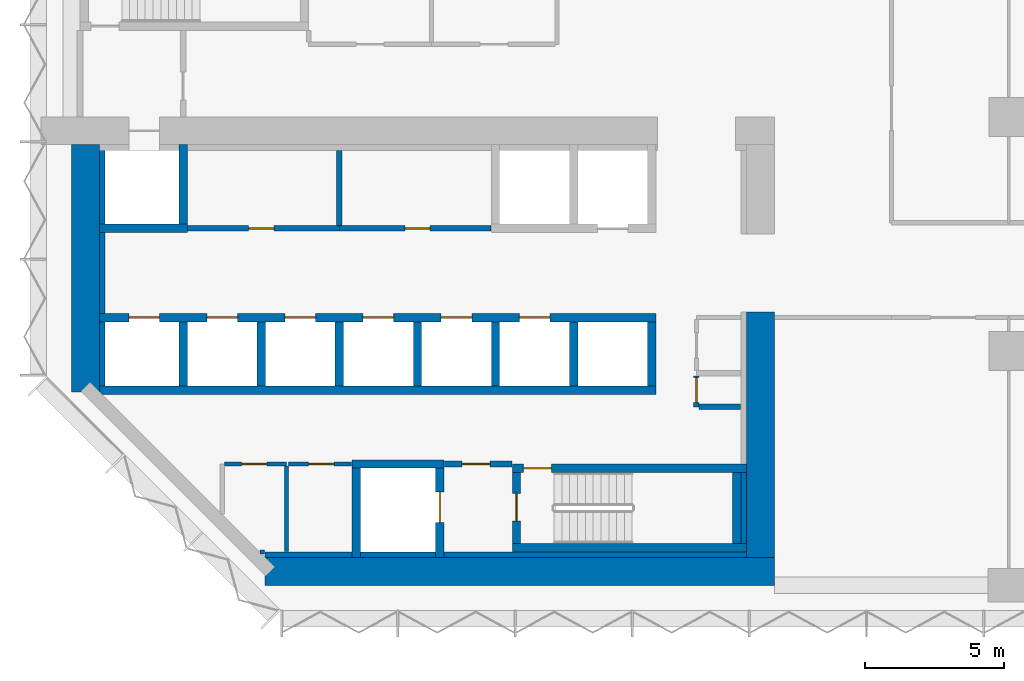
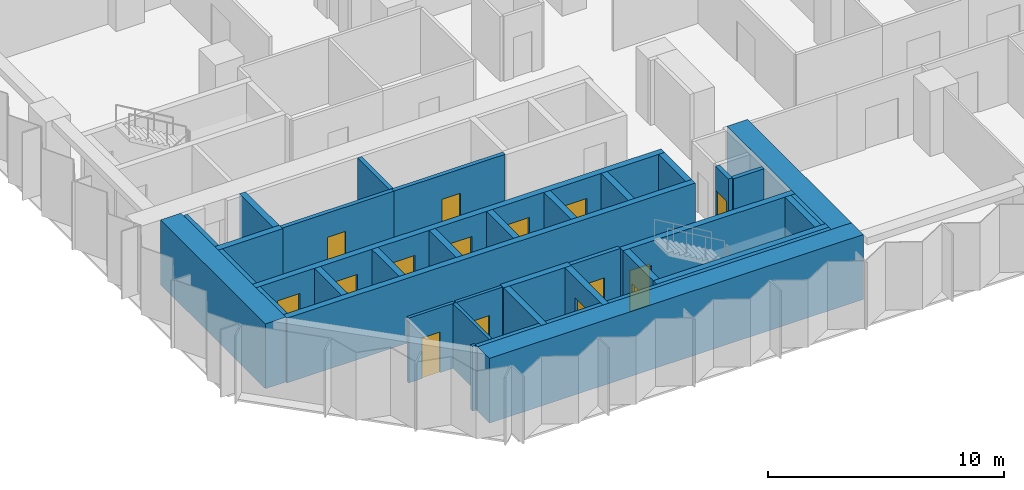
# One storey, part 7 of 15: 38 walls, 15 doors, 15 openings.
"""IFC4 building model written with IfcOpenShell, lengths in metres."""

from ifc_helpers import new_model, si_unit, direction, frame, frame_2d, origin, place, context, subcontext, project, spatial, rectangle, extrude, material, layer, layer_set, type_object, element, fill, save


model = new_model("IFC4")

# Units and contexts
model_context = context("Model", 3, precision=1e-05, world=origin(), true_north=direction((0.0, 1.0)))
body_context = subcontext(model_context, "Body", "Model", "MODEL_VIEW")
ifc_project = project(units=[si_unit("LENGTHUNIT", "METRE"), si_unit("AREAUNIT", "SQUARE_METRE"), si_unit("VOLUMEUNIT", "CUBIC_METRE"), si_unit("PLANEANGLEUNIT", "RADIAN"), si_unit("MASSUNIT", "GRAM", prefix="KILO")], contexts=[model_context])

# Site, building, storey
site_placement = place(None, origin())
site = spatial("IfcSite", under=ifc_project, at=site_placement, CompositionType="ELEMENT")
building_placement = place(site_placement, origin())
building = spatial("IfcBuilding", under=site, at=building_placement, Name="Brevane Broadcast Tower", CompositionType="ELEMENT")
storey_placement = place(building_placement, frame((0.0, 0.0, 72.5)))
storey = spatial("IfcBuildingStorey", under=building, at=storey_placement, Name="L16", CompositionType="ELEMENT", Elevation=72.5)

# Walls
ifc_material_1 = material(Name="Concrete C32/40", Category="concrete")
ifc_layer_1 = layer(ifc_material_1, 0.199951171875)
ifc_layer_set_1 = layer_set([ifc_layer_1], Name="Core chase wall 200 mm")
wall_type_1 = type_object("IfcWallType", Name="Core chase wall 200 mm", PredefinedType="PARTITIONING", material=ifc_layer_set_1)
wall_1_placement = place(storey_placement, frame((1.10009765625, 7.14990234375, 0.0), z_axis=(0.0, 0.0, 1.0), x_axis=(0.0, 1.0, 0.0)))
element("IfcWall", 1, at=wall_1_placement, inside=storey, type_object=wall_type_1, Name="L16 chase wall LW-2-1", PredefinedType="PARTITIONING", context=body_context, shape_type="SweptSolid", body=[
    extrude(rectangle(XDim=2.300048828125, YDim=0.199951171875, at=frame_2d((1.14990234375, 0.0))), origin(), (0.0, 0.0, 1.0), 3.35009765625),
])
wall_2_placement = place(storey_placement, frame((1.10009765625, 9.75, 0.0), z_axis=(0.0, 0.0, 1.0), x_axis=(0.0, 1.0, 0.0)))
element("IfcWall", 2, at=wall_2_placement, inside=storey, type_object=wall_type_1, Name="L16 chase wall LW-2-2-1", PredefinedType="PARTITIONING", context=body_context, shape_type="SweptSolid", body=[
    extrude(rectangle(XDim=2.89990234375, YDim=0.199951171875, at=frame_2d((1.449951171875, 0.0))), origin(), (0.0, 0.0, 1.0), 3.35009765625),
])
wall_3_placement = place(storey_placement, frame((1.10009765625, 12.949951171875, 0.0), z_axis=(0.0, 0.0, 1.0), x_axis=(0.0, 1.0, 0.0)))
element("IfcWall", 3, at=wall_3_placement, inside=storey, type_object=wall_type_1, Name="L16 chase wall LW-2-2-2", PredefinedType="PARTITIONING", context=body_context, shape_type="SweptSolid", body=[
    extrude(rectangle(XDim=2.650146484375, YDim=0.199951171875, at=frame_2d((1.3251953125, 0.0))), origin(), (0.0, 0.0, 1.0), 3.35009765625),
])
wall_4_placement = place(storey_placement, frame((6.936279296875, 1.10009765625, 0.0), z_axis=(0.0, 0.0, 1.0), x_axis=(1.0, 0.0, 0.0)))
element("IfcWall", 4, at=wall_4_placement, inside=storey, type_object=wall_type_1, Name="L16 chase wall LS-1", PredefinedType="PARTITIONING", context=body_context, shape_type="SweptSolid", body=[
    extrude(rectangle(XDim=3.11376953125, YDim=0.199951171875, at=frame_2d((1.556884765625, 0.0))), origin(), (0.0, 0.0, 1.0), 3.35009765625),
])
wall_5_placement = place(storey_placement, frame((10.35009765625, 1.10009765625, 0.0), z_axis=(0.0, 0.0, 1.0), x_axis=(1.0, 0.0, 0.0)))
element("IfcWall", 5, at=wall_5_placement, inside=storey, type_object=wall_type_1, Name="L16 chase wall LS-2-1", PredefinedType="PARTITIONING", context=body_context, shape_type="SweptSolid", body=[
    extrude(rectangle(XDim=2.699951171875, YDim=0.199951171875, at=frame_2d((1.35009765625, 0.0))), origin(), (0.0, 0.0, 1.0), 3.35009765625),
])
wall_6_placement = place(storey_placement, frame((13.35009765625, 1.10009765625, 0.0), z_axis=(0.0, 0.0, 1.0), x_axis=(1.0, 0.0, 0.0)))
element("IfcWall", 6, at=wall_6_placement, inside=storey, type_object=wall_type_1, Name="L16 chase wall LS-2-2", PredefinedType="PARTITIONING", context=body_context, shape_type="SweptSolid", body=[
    extrude(rectangle(XDim=10.849853515625, YDim=0.199951171875, at=frame_2d((5.4248046875, 0.0))), origin(), (0.0, 0.0, 1.0), 3.35009765625),
])
wall_7_placement = place(storey_placement, frame((24.10009765625, 1.5, 0.0), z_axis=(0.0, 0.0, 1.0), x_axis=(0.0, 1.0, 0.0)))
element("IfcWall", 7, at=wall_7_placement, inside=storey, type_object=wall_type_1, Name="L16 chase wall LE1-2-1", PredefinedType="PARTITIONING", context=body_context, shape_type="SweptSolid", body=[
    extrude(rectangle(XDim=2.550048828125, YDim=0.199951171875, at=frame_2d((1.27490234375, 0.0))), origin(), (0.0, 0.0, 1.0), 3.35009765625),
])

# Wall, opening, door
ifc_material_2 = material(Name="Gypsum board on steel studs", Category="steel")
ifc_layer_2 = layer(ifc_material_2, 0.14990234375)
ifc_layer_set_2 = layer_set([ifc_layer_2], Name="Core fire partition 150 mm")
wall_type_2 = type_object("IfcWallType", Name="Core fire partition 150 mm", PredefinedType="PARTITIONING", material=ifc_layer_set_2)
wall_8_placement = place(storey_placement, frame((5.47509765625, 4.35009765625, 0.0), z_axis=(0.0, 0.0, 1.0), x_axis=(1.0, 0.0, 0.0)))
wall_8 = element("IfcWall", 8, at=wall_8_placement, inside=storey, type_object=wall_type_2, Name="L16 partition wall P11", PredefinedType="PARTITIONING", context=body_context, shape_type="SweptSolid", body=[
    extrude(rectangle(XDim=2.224853515625, YDim=0.14990234375, at=frame_2d((1.1123046875, 0.0))), origin(), (0.0, 0.0, 1.0), 3.35009765625),
])
opening_1_placement = place(wall_8_placement, frame((0.625, 0.0, 0.0)))
opening_1 = element("IfcOpeningElement", 9, at=opening_1_placement, cuts=wall_8, Name="Opening L16-K16", PredefinedType="OPENING", context=body_context, shape_type="SweptSolid", body=[
    extrude(rectangle(XDim=0.89990234375, YDim=2.10009765625, at=frame_2d((0.449951171875, 1.050048828125))), frame((0.0, 0.0849609375, 0.0), z_axis=(0.0, -1.0, 0.0), x_axis=(1.0, 0.0, 0.0)), (0.0, 0.0, 1.0), 0.169921875),
])
ifc_material_3 = material(Name="Timber", Category="wood")
door_type_1 = type_object("IfcDoorType", Name="Toilet door 900 x 2100", OperationType="SINGLE_SWING_LEFT", PredefinedType="DOOR", material=ifc_material_3)
door_1_placement = place(opening_1_placement, origin())
door_1 = element("IfcDoor", 10, at=door_1_placement, inside=storey, type_object=door_type_1, Name="Door L16-K16", OperationType="SINGLE_SWING_LEFT", OverallHeight=2.10009765625, OverallWidth=0.89990234375, PredefinedType="DOOR", context=body_context, shape_type="SweptSolid", body=[
    extrude(rectangle(XDim=0.89990234375, YDim=2.10009765625, at=frame_2d((0.449951171875, 1.050048828125))), frame((0.0, 0.02490234375, 0.0), z_axis=(0.0, -1.0, 0.0), x_axis=(1.0, 0.0, 0.0)), (0.0, 0.0, 1.0), 0.050048828125),
])
fill(opening_1, door_1)

# Walls
wall_9_placement = place(storey_placement, frame((7.699951171875, 4.27490234375, 0.0), z_axis=(0.0, 0.0, 1.0), x_axis=(0.0, -1.0, 0.0)))
element("IfcWall", 11, at=wall_9_placement, inside=storey, type_object=wall_type_2, Name="L16 partition wall P12", PredefinedType="PARTITIONING", context=body_context, shape_type="SweptSolid", body=[
    extrude(rectangle(XDim=3.06298828125, YDim=0.14990234375, at=frame_2d((1.531494140625, 0.0))), origin(), (0.0, 0.0, 1.0), 3.35009765625),
])
wall_10_placement = place(storey_placement, frame((6.92431640625, 1.199951171875, 0.0), z_axis=(0.0, 0.0, 1.0), x_axis=(-1.0, 0.0, 0.0)))
element("IfcWall", 12, at=wall_10_placement, inside=storey, type_object=wall_type_2, Name="L16 partition wall P13", PredefinedType="PARTITIONING", context=body_context, shape_type="SweptSolid", body=[
    extrude(rectangle(XDim=0.1708984375, YDim=0.14990234375, at=frame_2d((0.08544921875, 0.0))), origin(), (0.0, 0.0, 1.0), 3.35009765625),
])

# Wall, opening, door
wall_11_placement = place(storey_placement, frame((10.0380859375, 4.35009765625, 0.0), z_axis=(0.0, 0.0, 1.0), x_axis=(-1.0, 0.0, 0.0)))
wall_11 = element("IfcWall", 13, at=wall_11_placement, inside=storey, type_object=wall_type_2, Name="L16 partition wall P14", PredefinedType="PARTITIONING", context=body_context, shape_type="SweptSolid", body=[
    extrude(rectangle(XDim=2.26318359375, YDim=0.14990234375, at=frame_2d((1.131591796875, 0.0))), origin(), (0.0, 0.0, 1.0), 3.35009765625),
])
opening_2_placement = place(wall_11_placement, frame((0.637939453125, 0.0, 0.0)))
opening_2 = element("IfcOpeningElement", 14, at=opening_2_placement, cuts=wall_11, Name="Opening L16-K17", PredefinedType="OPENING", context=body_context, shape_type="SweptSolid", body=[
    extrude(rectangle(XDim=0.89990234375, YDim=2.10009765625, at=frame_2d((0.449951171875, 1.050048828125))), frame((0.0, 0.0849609375, 0.0), z_axis=(0.0, -1.0, 0.0), x_axis=(1.0, 0.0, 0.0)), (0.0, 0.0, 1.0), 0.169921875),
])
door_2_placement = place(opening_2_placement, origin())
door_2 = element("IfcDoor", 15, at=door_2_placement, inside=storey, type_object=door_type_1, Name="Door L16-K17", OperationType="SINGLE_SWING_RIGHT", OverallHeight=2.10009765625, OverallWidth=0.89990234375, PredefinedType="DOOR", context=body_context, shape_type="SweptSolid", body=[
    extrude(rectangle(XDim=0.89990234375, YDim=2.10009765625, at=frame_2d((0.449951171875, 1.050048828125))), frame((0.0, 0.02490234375, 0.0), z_axis=(0.0, -1.0, 0.0), x_axis=(1.0, 0.0, 0.0)), (0.0, 0.0, 1.0), 0.050048828125),
])
fill(opening_2, door_2)

ifc_layer_3 = layer(ifc_material_2, 0.199951171875)
ifc_layer_set_3 = layer_set([ifc_layer_3], Name="Core fire partition 200 mm")
wall_type_3 = type_object("IfcWallType", Name="Core fire partition 200 mm", PredefinedType="PARTITIONING", material=ifc_layer_set_3)
wall_12_placement = place(storey_placement, frame((13.362060546875, 4.35009765625, 0.0), z_axis=(0.0, 0.0, 1.0), x_axis=(1.0, 0.0, 0.0)))
wall_12 = element("IfcWall", 16, at=wall_12_placement, inside=storey, type_object=wall_type_3, Name="L16 partition wall P03", PredefinedType="PARTITIONING", context=body_context, shape_type="SweptSolid", body=[
    extrude(rectangle(XDim=2.426025390625, YDim=0.199951171875, at=frame_2d((1.212890625, 0.0))), origin(), (0.0, 0.0, 1.0), 3.35009765625),
])
opening_3_placement = place(wall_12_placement, frame((0.637939453125, 0.0, 0.0)))
opening_3 = element("IfcOpeningElement", 17, at=opening_3_placement, cuts=wall_12, Name="Opening L16-K18", PredefinedType="OPENING", context=body_context, shape_type="SweptSolid", body=[
    extrude(rectangle(XDim=1.0, YDim=2.10009765625, at=frame_2d((0.5, 1.050048828125))), frame((0.0, 0.10986328125, 0.0), z_axis=(0.0, -1.0, 0.0), x_axis=(1.0, 0.0, 0.0)), (0.0, 0.0, 1.0), 0.219970703125),
])
ifc_material_4 = material(Name="Steel", Category="steel")
door_type_2 = type_object("IfcDoorType", Name="Stair door 1000 x 2100", OperationType="SINGLE_SWING_LEFT", PredefinedType="DOOR", material=ifc_material_4)
door_3_placement = place(opening_3_placement, origin())
door_3 = element("IfcDoor", 18, at=door_3_placement, inside=storey, type_object=door_type_2, Name="Door L16-K18", OperationType="SINGLE_SWING_LEFT", OverallHeight=2.10009765625, OverallWidth=1.0, PredefinedType="DOOR", context=body_context, shape_type="SweptSolid", body=[
    extrude(rectangle(XDim=1.0, YDim=2.10009765625, at=frame_2d((0.5, 1.050048828125))), frame((0.0, 0.02490234375, 0.0), z_axis=(0.0, -1.0, 0.0), x_axis=(1.0, 0.0, 0.0)), (0.0, 0.0, 1.0), 0.050048828125),
])
fill(opening_3, door_3)

wall_13_placement = place(storey_placement, frame((4.162109375, 12.800048828125, 0.0), z_axis=(0.0, 0.0, 1.0), x_axis=(1.0, 0.0, 0.0)))
wall_13 = element("IfcWall", 19, at=wall_13_placement, inside=storey, type_object=wall_type_3, Name="L16 partition wall P04", PredefinedType="PARTITIONING", context=body_context, shape_type="SweptSolid", body=[
    extrude(rectangle(XDim=5.43798828125, YDim=0.199951171875, at=frame_2d((2.718994140625, 0.0))), origin(), (0.0, 0.0, 1.0), 3.35009765625),
])
opening_4_placement = place(wall_13_placement, frame((2.18798828125, 0.0, 0.0)))
opening_4 = element("IfcOpeningElement", 20, at=opening_4_placement, cuts=wall_13, Name="Opening L16-K21", PredefinedType="OPENING", context=body_context, shape_type="SweptSolid", body=[
    extrude(rectangle(XDim=0.89990234375, YDim=2.10009765625, at=frame_2d((0.449951171875, 1.050048828125))), frame((0.0, 0.10986328125, 0.0), z_axis=(0.0, -1.0, 0.0), x_axis=(1.0, 0.0, 0.0)), (0.0, 0.0, 1.0), 0.219970703125),
])
door_type_3 = type_object("IfcDoorType", Name="Service room door 900 x 2100", OperationType="SINGLE_SWING_LEFT", PredefinedType="DOOR", material=ifc_material_4)
door_4_placement = place(opening_4_placement, origin())
door_4 = element("IfcDoor", 21, at=door_4_placement, inside=storey, type_object=door_type_3, Name="Door L16-K21", OperationType="SINGLE_SWING_RIGHT", OverallHeight=2.10009765625, OverallWidth=0.89990234375, PredefinedType="DOOR", context=body_context, shape_type="SweptSolid", body=[
    extrude(rectangle(XDim=0.89990234375, YDim=2.10009765625, at=frame_2d((0.449951171875, 1.050048828125))), frame((0.0, 0.02490234375, 0.0), z_axis=(0.0, -1.0, 0.0), x_axis=(1.0, 0.0, 0.0)), (0.0, 0.0, 1.0), 0.050048828125),
])
fill(opening_4, door_4)

wall_14_placement = place(storey_placement, frame((9.60009765625, 12.800048828125, 0.0), z_axis=(0.0, 0.0, 1.0), x_axis=(1.0, 0.0, 0.0)))
wall_14 = element("IfcWall", 22, at=wall_14_placement, inside=storey, type_object=wall_type_3, Name="L16 partition wall P05", PredefinedType="PARTITIONING", context=body_context, shape_type="SweptSolid", body=[
    extrude(rectangle(XDim=5.43798828125, YDim=0.199951171875, at=frame_2d((2.718994140625, 0.0))), origin(), (0.0, 0.0, 1.0), 3.35009765625),
])
opening_5_placement = place(wall_14_placement, frame((2.35009765625, 0.0, 0.0)))
opening_5 = element("IfcOpeningElement", 23, at=opening_5_placement, cuts=wall_14, Name="Opening L16-K22", PredefinedType="OPENING", context=body_context, shape_type="SweptSolid", body=[
    extrude(rectangle(XDim=0.89990234375, YDim=2.10009765625, at=frame_2d((0.449951171875, 1.050048828125))), frame((0.0, 0.10986328125, 0.0), z_axis=(0.0, -1.0, 0.0), x_axis=(1.0, 0.0, 0.0)), (0.0, 0.0, 1.0), 0.219970703125),
])
door_5_placement = place(opening_5_placement, origin())
door_5 = element("IfcDoor", 24, at=door_5_placement, inside=storey, type_object=door_type_3, Name="Door L16-K22", OperationType="SINGLE_SWING_LEFT", OverallHeight=2.10009765625, OverallWidth=0.89990234375, PredefinedType="DOOR", context=body_context, shape_type="SweptSolid", body=[
    extrude(rectangle(XDim=0.89990234375, YDim=2.10009765625, at=frame_2d((0.449951171875, 1.050048828125))), frame((0.0, 0.02490234375, 0.0), z_axis=(0.0, -1.0, 0.0), x_axis=(1.0, 0.0, 0.0)), (0.0, 0.0, 1.0), 0.050048828125),
])
fill(opening_5, door_5)

# Wall
wall_15_placement = place(storey_placement, frame((9.60009765625, 15.587890625, 0.0), z_axis=(0.0, 0.0, 1.0), x_axis=(0.0, -1.0, 0.0)))
element("IfcWall", 25, at=wall_15_placement, inside=storey, type_object=wall_type_3, Name="L16 partition wall P06", PredefinedType="PARTITIONING", context=body_context, shape_type="SweptSolid", body=[
    extrude(rectangle(XDim=2.68798828125, YDim=0.199951171875, at=frame_2d((1.343994140625, 0.0))), origin(), (0.0, 0.0, 1.0), 3.35009765625),
])

# Wall, opening, door
wall_16_placement = place(storey_placement, frame((22.39990234375, 7.5, 0.0), z_axis=(0.0, 0.0, 1.0), x_axis=(0.0, -1.0, 0.0)))
wall_16 = element("IfcWall", 26, at=wall_16_placement, inside=storey, type_object=wall_type_3, Name="L16 partition wall P08", PredefinedType="PARTITIONING", context=body_context, shape_type="SweptSolid", body=[
    extrude(rectangle(XDim=1.10009765625, YDim=0.199951171875, at=frame_2d((0.550048828125, 0.0))), origin(), (0.0, 0.0, 1.0), 3.35009765625),
])
opening_6_placement = place(wall_16_placement, frame((0.050048828125, 0.0, 0.0)))
opening_6 = element("IfcOpeningElement", 27, at=opening_6_placement, cuts=wall_16, Name="Opening L16-K19", PredefinedType="OPENING", context=body_context, shape_type="SweptSolid", body=[
    extrude(rectangle(XDim=0.89990234375, YDim=2.10009765625, at=frame_2d((0.449951171875, 1.050048828125))), frame((0.0, 0.10986328125, 0.0), z_axis=(0.0, -1.0, 0.0), x_axis=(1.0, 0.0, 0.0)), (0.0, 0.0, 1.0), 0.219970703125),
])
door_6_placement = place(opening_6_placement, origin())
door_6 = element("IfcDoor", 28, at=door_6_placement, inside=storey, type_object=door_type_3, Name="Door L16-K19", OperationType="SINGLE_SWING_RIGHT", OverallHeight=2.10009765625, OverallWidth=0.89990234375, PredefinedType="DOOR", context=body_context, shape_type="SweptSolid", body=[
    extrude(rectangle(XDim=0.89990234375, YDim=2.10009765625, at=frame_2d((0.449951171875, 1.050048828125))), frame((0.0, 0.02490234375, 0.0), z_axis=(0.0, -1.0, 0.0), x_axis=(1.0, 0.0, 0.0)), (0.0, 0.0, 1.0), 0.050048828125),
])
fill(opening_6, door_6)

# Walls
wall_17_placement = place(storey_placement, frame((22.5, 6.39990234375, 0.0), z_axis=(0.0, 0.0, 1.0), x_axis=(1.0, 0.0, 0.0)))
element("IfcWall", 29, at=wall_17_placement, inside=storey, type_object=wall_type_3, Name="L16 partition wall P09", PredefinedType="PARTITIONING", context=body_context, shape_type="SweptSolid", body=[
    extrude(rectangle(XDim=1.488037109375, YDim=0.199951171875, at=frame_2d((0.744140625, 0.0))), origin(), (0.0, 0.0, 1.0), 3.35009765625),
])
ifc_material_5 = material(Name="Concrete C80/95", Category="concrete")
ifc_layer_4 = layer(ifc_material_5, 1.0)
ifc_layer_set_4 = layer_set([ifc_layer_4], Name="Core wall 1000 mm C80/95")
wall_type_4 = type_object("IfcWallType", Name="Core wall 1000 mm C80/95", PredefinedType="SHEAR", material=ifc_layer_set_4)
wall_18_placement = place(storey_placement, frame((6.936279296875, 0.5, 0.0), z_axis=(0.0, 0.0, 1.0), x_axis=(1.0, 0.0, 0.0)))
element("IfcWall", 30, at=wall_18_placement, inside=storey, type_object=wall_type_4, Name="L16 outer wall WS", PredefinedType="SHEAR", context=body_context, shape_type="SweptSolid", body=[
    extrude(rectangle(XDim=18.263671875, YDim=1.0, at=frame_2d((9.1318359375, 0.0))), origin(), (0.0, 0.0, 1.0), 3.35009765625),
])
wall_19_placement = place(storey_placement, frame((0.5, 6.936279296875, 0.0), z_axis=(0.0, 0.0, 1.0), x_axis=(0.0, 1.0, 0.0)))
element("IfcWall", 31, at=wall_19_placement, inside=storey, type_object=wall_type_4, Name="L16 outer wall WW", PredefinedType="SHEAR", context=body_context, shape_type="SweptSolid", body=[
    extrude(rectangle(XDim=8.86376953125, YDim=1.0, at=frame_2d((4.431884765625, 0.0))), origin(), (0.0, 0.0, 1.0), 3.35009765625),
])
wall_20_placement = place(storey_placement, frame((24.699951171875, 1.0, 0.0), z_axis=(0.0, 0.0, 1.0), x_axis=(0.0, 1.0, 0.0)))
element("IfcWall", 32, at=wall_20_placement, inside=storey, type_object=wall_type_4, Name="L16 outer wall WE1", PredefinedType="SHEAR", context=body_context, shape_type="SweptSolid", body=[
    extrude(rectangle(XDim=8.800048828125, YDim=1.0, at=frame_2d((4.39990234375, 0.0))), origin(), (0.0, 0.0, 1.0), 3.35009765625),
])
ifc_layer_5 = layer(ifc_material_5, 0.300048828125)
ifc_layer_set_5 = layer_set([ifc_layer_5], Name="Core wall 300 mm C80/95")
wall_type_5 = type_object("IfcWallType", Name="Core wall 300 mm C80/95", PredefinedType="SHEAR", material=ifc_layer_set_5)
wall_21_placement = place(storey_placement, frame((1.0, 7.0, 0.0), z_axis=(0.0, 0.0, 1.0), x_axis=(1.0, 0.0, 0.0)))
element("IfcWall", 33, at=wall_21_placement, inside=storey, type_object=wall_type_5, Name="L16 shaft wall SH-S012-back", PredefinedType="SHEAR", context=body_context, shape_type="SweptSolid", body=[
    extrude(rectangle(XDim=19.949951171875, YDim=0.300048828125, at=frame_2d((9.97509765625, 0.0))), origin(), (0.0, 0.0, 1.0), 3.35009765625),
])

# Wall, openings, doors
wall_22_placement = place(storey_placement, frame((1.0, 9.60009765625, 0.0), z_axis=(0.0, 0.0, 1.0), x_axis=(1.0, 0.0, 0.0)))
wall_22 = element("IfcWall", 34, at=wall_22_placement, inside=storey, type_object=wall_type_5, Name="L16 shaft wall SH-S012-front", PredefinedType="SHEAR", context=body_context, shape_type="SweptSolid", body=[
    extrude(rectangle(XDim=19.949951171875, YDim=0.300048828125, at=frame_2d((9.97509765625, 0.0))), origin(), (0.0, 0.0, 1.0), 3.35009765625),
])
opening_7_placement = place(wall_22_placement, frame((1.050048828125, 0.0, 0.0)))
opening_7 = element("IfcOpeningElement", 35, at=opening_7_placement, cuts=wall_22, Name="Opening LD", PredefinedType="OPENING", context=body_context, shape_type="SweptSolid", body=[
    extrude(rectangle(XDim=1.10009765625, YDim=2.300048828125, at=frame_2d((0.550048828125, 1.14990234375))), frame((0.0, 0.159912109375, 0.0), z_axis=(0.0, -1.0, 0.0), x_axis=(1.0, 0.0, 0.0)), (0.0, 0.0, 1.0), 0.320068359375),
])
opening_8_placement = place(wall_22_placement, frame((3.85009765625, 0.0, 0.0)))
opening_8 = element("IfcOpeningElement", 36, at=opening_8_placement, cuts=wall_22, Name="Opening LD", PredefinedType="OPENING", context=body_context, shape_type="SweptSolid", body=[
    extrude(rectangle(XDim=1.10009765625, YDim=2.300048828125, at=frame_2d((0.550048828125, 1.14990234375))), frame((0.0, 0.159912109375, 0.0), z_axis=(0.0, -1.0, 0.0), x_axis=(1.0, 0.0, 0.0)), (0.0, 0.0, 1.0), 0.320068359375),
])
opening_9_placement = place(wall_22_placement, frame((6.64990234375, 0.0, 0.0)))
opening_9 = element("IfcOpeningElement", 37, at=opening_9_placement, cuts=wall_22, Name="Opening LD", PredefinedType="OPENING", context=body_context, shape_type="SweptSolid", body=[
    extrude(rectangle(XDim=1.10009765625, YDim=2.300048828125, at=frame_2d((0.550048828125, 1.14990234375))), frame((0.0, 0.159912109375, 0.0), z_axis=(0.0, -1.0, 0.0), x_axis=(1.0, 0.0, 0.0)), (0.0, 0.0, 1.0), 0.320068359375),
])
opening_10_placement = place(wall_22_placement, frame((9.449951171875, 0.0, 0.0)))
opening_10 = element("IfcOpeningElement", 38, at=opening_10_placement, cuts=wall_22, Name="Opening LD", PredefinedType="OPENING", context=body_context, shape_type="SweptSolid", body=[
    extrude(rectangle(XDim=1.10009765625, YDim=2.300048828125, at=frame_2d((0.550048828125, 1.14990234375))), frame((0.0, 0.159912109375, 0.0), z_axis=(0.0, -1.0, 0.0), x_axis=(1.0, 0.0, 0.0)), (0.0, 0.0, 1.0), 0.320068359375),
])
opening_11_placement = place(wall_22_placement, frame((12.25, 0.0, 0.0)))
opening_11 = element("IfcOpeningElement", 39, at=opening_11_placement, cuts=wall_22, Name="Opening LD", PredefinedType="OPENING", context=body_context, shape_type="SweptSolid", body=[
    extrude(rectangle(XDim=1.10009765625, YDim=2.300048828125, at=frame_2d((0.550048828125, 1.14990234375))), frame((0.0, 0.159912109375, 0.0), z_axis=(0.0, -1.0, 0.0), x_axis=(1.0, 0.0, 0.0)), (0.0, 0.0, 1.0), 0.320068359375),
])
opening_12_placement = place(wall_22_placement, frame((15.050048828125, 0.0, 0.0)))
opening_12 = element("IfcOpeningElement", 40, at=opening_12_placement, cuts=wall_22, Name="Opening LD", PredefinedType="OPENING", context=body_context, shape_type="SweptSolid", body=[
    extrude(rectangle(XDim=1.10009765625, YDim=2.300048828125, at=frame_2d((0.550048828125, 1.14990234375))), frame((0.0, 0.159912109375, 0.0), z_axis=(0.0, -1.0, 0.0), x_axis=(1.0, 0.0, 0.0)), (0.0, 0.0, 1.0), 0.320068359375),
])
ifc_material_6 = material(Name="Stainless steel", Category="steel")
door_type_4 = type_object("IfcDoorType", Name="Lift landing door", OperationType="SLIDING_TO_LEFT", PredefinedType="DOOR", material=ifc_material_6)
door_7_placement = place(opening_7_placement, origin())
door_7 = element("IfcDoor", 41, at=door_7_placement, inside=storey, type_object=door_type_4, Name="Landing door LR1 L16", OperationType="SLIDING_TO_LEFT", OverallHeight=2.300048828125, OverallWidth=1.10009765625, PredefinedType="DOOR", context=body_context, shape_type="SweptSolid", body=[
    extrude(rectangle(XDim=1.10009765625, YDim=2.300048828125, at=frame_2d((0.550048828125, 1.14990234375))), frame((0.0, 0.02490234375, 0.0), z_axis=(0.0, -1.0, 0.0), x_axis=(1.0, 0.0, 0.0)), (0.0, 0.0, 1.0), 0.050048828125),
])
fill(opening_7, door_7)
door_8_placement = place(opening_8_placement, origin())
door_8 = element("IfcDoor", 42, at=door_8_placement, inside=storey, type_object=door_type_4, Name="Landing door LR2 L16", OperationType="SLIDING_TO_LEFT", OverallHeight=2.300048828125, OverallWidth=1.10009765625, PredefinedType="DOOR", context=body_context, shape_type="SweptSolid", body=[
    extrude(rectangle(XDim=1.10009765625, YDim=2.300048828125, at=frame_2d((0.550048828125, 1.14990234375))), frame((0.0, 0.02490234375, 0.0), z_axis=(0.0, -1.0, 0.0), x_axis=(1.0, 0.0, 0.0)), (0.0, 0.0, 1.0), 0.050048828125),
])
fill(opening_8, door_8)
door_9_placement = place(opening_9_placement, origin())
door_9 = element("IfcDoor", 43, at=door_9_placement, inside=storey, type_object=door_type_4, Name="Landing door LR3 L16", OperationType="SLIDING_TO_LEFT", OverallHeight=2.300048828125, OverallWidth=1.10009765625, PredefinedType="DOOR", context=body_context, shape_type="SweptSolid", body=[
    extrude(rectangle(XDim=1.10009765625, YDim=2.300048828125, at=frame_2d((0.550048828125, 1.14990234375))), frame((0.0, 0.02490234375, 0.0), z_axis=(0.0, -1.0, 0.0), x_axis=(1.0, 0.0, 0.0)), (0.0, 0.0, 1.0), 0.050048828125),
])
fill(opening_9, door_9)
door_10_placement = place(opening_10_placement, origin())
door_10 = element("IfcDoor", 44, at=door_10_placement, inside=storey, type_object=door_type_4, Name="Landing door LR4 L16", OperationType="SLIDING_TO_LEFT", OverallHeight=2.300048828125, OverallWidth=1.10009765625, PredefinedType="DOOR", context=body_context, shape_type="SweptSolid", body=[
    extrude(rectangle(XDim=1.10009765625, YDim=2.300048828125, at=frame_2d((0.550048828125, 1.14990234375))), frame((0.0, 0.02490234375, 0.0), z_axis=(0.0, -1.0, 0.0), x_axis=(1.0, 0.0, 0.0)), (0.0, 0.0, 1.0), 0.050048828125),
])
fill(opening_10, door_10)
door_11_placement = place(opening_11_placement, origin())
door_11 = element("IfcDoor", 45, at=door_11_placement, inside=storey, type_object=door_type_4, Name="Landing door LR5 L16", OperationType="SLIDING_TO_LEFT", OverallHeight=2.300048828125, OverallWidth=1.10009765625, PredefinedType="DOOR", context=body_context, shape_type="SweptSolid", body=[
    extrude(rectangle(XDim=1.10009765625, YDim=2.300048828125, at=frame_2d((0.550048828125, 1.14990234375))), frame((0.0, 0.02490234375, 0.0), z_axis=(0.0, -1.0, 0.0), x_axis=(1.0, 0.0, 0.0)), (0.0, 0.0, 1.0), 0.050048828125),
])
fill(opening_11, door_11)
door_12_placement = place(opening_12_placement, origin())
door_12 = element("IfcDoor", 46, at=door_12_placement, inside=storey, type_object=door_type_4, Name="Landing door LR6 L16", OperationType="SLIDING_TO_LEFT", OverallHeight=2.300048828125, OverallWidth=1.10009765625, PredefinedType="DOOR", context=body_context, shape_type="SweptSolid", body=[
    extrude(rectangle(XDim=1.10009765625, YDim=2.300048828125, at=frame_2d((0.550048828125, 1.14990234375))), frame((0.0, 0.02490234375, 0.0), z_axis=(0.0, -1.0, 0.0), x_axis=(1.0, 0.0, 0.0)), (0.0, 0.0, 1.0), 0.050048828125),
])
fill(opening_12, door_12)

# Walls
for number, where, z_axis, x_axis, name in (
    (47, (4.0, 7.14990234375, 0.0), (0.0, 0.0, 1.0), (0.0, 1.0, 0.0), "L16 shaft wall SH-S-P040"),
    (48, (6.800048828125, 7.14990234375, 0.0), (0.0, 0.0, 1.0), (0.0, 1.0, 0.0), "L16 shaft wall SH-S-P068"),
    (49, (9.60009765625, 7.14990234375, 0.0), (0.0, 0.0, 1.0), (0.0, 1.0, 0.0), "L16 shaft wall SH-S-P096"),
    (50, (12.39990234375, 7.14990234375, 0.0), (0.0, 0.0, 1.0), (0.0, 1.0, 0.0), "L16 shaft wall SH-S-P124"),
    (51, (15.199951171875, 7.14990234375, 0.0), (0.0, 0.0, 1.0), (0.0, 1.0, 0.0), "L16 shaft wall SH-S-P152"),
    (52, (18.0, 7.14990234375, 0.0), (0.0, 0.0, 1.0), (0.0, 1.0, 0.0), "L16 shaft wall SH-S-P180"),
    (53, (20.800048828125, 7.14990234375, 0.0), (0.0, 0.0, 1.0), (0.0, 1.0, 0.0), "L16 shaft wall SH-S-P208"),
):
    element("IfcWall", number, at=place(storey_placement, frame(where, z_axis=z_axis, x_axis=x_axis)), inside=storey, type_object=wall_type_5, Name=name, PredefinedType="SHEAR", context=body_context, shape_type="SweptSolid", body=[
        extrude(rectangle(XDim=2.300048828125, YDim=0.300048828125, at=frame_2d((1.14990234375, 0.0))), origin(), (0.0, 0.0, 1.0), 3.35009765625),
    ])
wall_23_placement = place(storey_placement, frame((1.0, 12.800048828125, 0.0), z_axis=(0.0, 0.0, 1.0), x_axis=(1.0, 0.0, 0.0)))
element("IfcWall", 54, at=wall_23_placement, inside=storey, type_object=wall_type_5, Name="L16 shaft wall SH-N012-front", PredefinedType="SHEAR", context=body_context, shape_type="SweptSolid", body=[
    extrude(rectangle(XDim=3.14990234375, YDim=0.300048828125, at=frame_2d((1.574951171875, 0.0))), origin(), (0.0, 0.0, 1.0), 3.35009765625),
])
wall_24_placement = place(storey_placement, frame((4.0, 12.949951171875, 0.0), z_axis=(0.0, 0.0, 1.0), x_axis=(0.0, 1.0, 0.0)))
element("IfcWall", 55, at=wall_24_placement, inside=storey, type_object=wall_type_5, Name="L16 shaft wall SH-N-P040", PredefinedType="SHEAR", context=body_context, shape_type="SweptSolid", body=[
    extrude(rectangle(XDim=2.85009765625, YDim=0.300048828125, at=frame_2d((1.425048828125, 0.0))), origin(), (0.0, 0.0, 1.0), 3.35009765625),
])
wall_25_placement = place(storey_placement, frame((10.199951171875, 1.0, 0.0), z_axis=(0.0, 0.0, 1.0), x_axis=(0.0, 1.0, 0.0)))
element("IfcWall", 56, at=wall_25_placement, inside=storey, type_object=wall_type_5, Name="L16 shaft wall FF2-W", PredefinedType="SHEAR", context=body_context, shape_type="SweptSolid", body=[
    extrude(rectangle(XDim=3.199951171875, YDim=0.300048828125, at=frame_2d((1.60009765625, 0.0))), origin(), (0.0, 0.0, 1.0), 3.35009765625),
])

# Wall, opening, door
wall_26_placement = place(storey_placement, frame((13.199951171875, 1.0, 0.0), z_axis=(0.0, 0.0, 1.0), x_axis=(0.0, 1.0, 0.0)))
wall_26 = element("IfcWall", 57, at=wall_26_placement, inside=storey, type_object=wall_type_5, Name="L16 shaft wall FF2-E", PredefinedType="SHEAR", context=body_context, shape_type="SweptSolid", body=[
    extrude(rectangle(XDim=3.199951171875, YDim=0.300048828125, at=frame_2d((1.60009765625, 0.0))), origin(), (0.0, 0.0, 1.0), 3.35009765625),
])
opening_13_placement = place(wall_26_placement, frame((1.25, 0.0, 0.0)))
opening_13 = element("IfcOpeningElement", 58, at=opening_13_placement, cuts=wall_26, Name="Opening LD", PredefinedType="OPENING", context=body_context, shape_type="SweptSolid", body=[
    extrude(rectangle(XDim=1.10009765625, YDim=2.300048828125, at=frame_2d((0.550048828125, 1.14990234375))), frame((0.0, 0.159912109375, 0.0), z_axis=(0.0, -1.0, 0.0), x_axis=(1.0, 0.0, 0.0)), (0.0, 0.0, 1.0), 0.320068359375),
])
door_13_placement = place(opening_13_placement, origin())
door_13 = element("IfcDoor", 59, at=door_13_placement, inside=storey, type_object=door_type_4, Name="Landing door FF2 L16", OperationType="SLIDING_TO_LEFT", OverallHeight=2.300048828125, OverallWidth=1.10009765625, PredefinedType="DOOR", context=body_context, shape_type="SweptSolid", body=[
    extrude(rectangle(XDim=1.10009765625, YDim=2.300048828125, at=frame_2d((0.550048828125, 1.14990234375))), frame((0.0, 0.02490234375, 0.0), z_axis=(0.0, -1.0, 0.0), x_axis=(1.0, 0.0, 0.0)), (0.0, 0.0, 1.0), 0.050048828125),
])
fill(opening_13, door_13)

# Walls
wall_27_placement = place(storey_placement, frame((10.050048828125, 4.35009765625, 0.0), z_axis=(0.0, 0.0, 1.0), x_axis=(1.0, 0.0, 0.0)))
element("IfcWall", 60, at=wall_27_placement, inside=storey, type_object=wall_type_5, Name="L16 shaft wall FF2-N", PredefinedType="SHEAR", context=body_context, shape_type="SweptSolid", body=[
    extrude(rectangle(XDim=3.300048828125, YDim=0.300048828125, at=frame_2d((1.64990234375, 0.0))), origin(), (0.0, 0.0, 1.0), 3.35009765625),
])
wall_28_placement = place(storey_placement, frame((15.800048828125, 1.35009765625, 0.0), z_axis=(0.0, 0.0, 1.0), x_axis=(1.0, 0.0, 0.0)))
element("IfcWall", 61, at=wall_28_placement, inside=storey, type_object=wall_type_5, Name="L16 stair wall ST-2-S", PredefinedType="SHEAR", context=body_context, shape_type="SweptSolid", body=[
    extrude(rectangle(XDim=8.39990234375, YDim=0.300048828125, at=frame_2d((4.199951171875, 0.0))), origin(), (0.0, 0.0, 1.0), 3.35009765625),
])

# Wall, opening, door
wall_29_placement = place(storey_placement, frame((15.800048828125, 4.199951171875, 0.0), z_axis=(0.0, 0.0, 1.0), x_axis=(1.0, 0.0, 0.0)))
wall_29 = element("IfcWall", 62, at=wall_29_placement, inside=storey, type_object=wall_type_5, Name="L16 stair wall ST-2-N", PredefinedType="SHEAR", context=body_context, shape_type="SweptSolid", body=[
    extrude(rectangle(XDim=8.39990234375, YDim=0.300048828125, at=frame_2d((4.199951171875, 0.0))), origin(), (0.0, 0.0, 1.0), 3.35009765625),
])
opening_14_placement = place(wall_29_placement, frame((0.39990234375, 0.0, 0.0)))
opening_14 = element("IfcOpeningElement", 63, at=opening_14_placement, cuts=wall_29, Name="Opening L16-K13", PredefinedType="OPENING", context=body_context, shape_type="SweptSolid", body=[
    extrude(rectangle(XDim=1.0, YDim=2.10009765625, at=frame_2d((0.5, 1.050048828125))), frame((0.0, 0.159912109375, 0.0), z_axis=(0.0, -1.0, 0.0), x_axis=(1.0, 0.0, 0.0)), (0.0, 0.0, 1.0), 0.320068359375),
])
door_14_placement = place(opening_14_placement, origin())
door_14 = element("IfcDoor", 64, at=door_14_placement, inside=storey, type_object=door_type_2, Name="Door L16-K13", OperationType="SINGLE_SWING_RIGHT", OverallHeight=2.10009765625, OverallWidth=1.0, PredefinedType="DOOR", context=body_context, shape_type="SweptSolid", body=[
    extrude(rectangle(XDim=1.0, YDim=2.10009765625, at=frame_2d((0.5, 1.050048828125))), frame((0.0, 0.02490234375, 0.0), z_axis=(0.0, -1.0, 0.0), x_axis=(1.0, 0.0, 0.0)), (0.0, 0.0, 1.0), 0.050048828125),
])
fill(opening_14, door_14)

wall_30_placement = place(storey_placement, frame((15.949951171875, 1.5, 0.0), z_axis=(0.0, 0.0, 1.0), x_axis=(0.0, 1.0, 0.0)))
wall_30 = element("IfcWall", 65, at=wall_30_placement, inside=storey, type_object=wall_type_5, Name="L16 stair wall ST-2-W", PredefinedType="SHEAR", context=body_context, shape_type="SweptSolid", body=[
    extrude(rectangle(XDim=2.550048828125, YDim=0.300048828125, at=frame_2d((1.27490234375, 0.0))), origin(), (0.0, 0.0, 1.0), 3.35009765625),
])
opening_15_placement = place(wall_30_placement, frame((0.800048828125, 0.0, 0.0)))
opening_15 = element("IfcOpeningElement", 66, at=opening_15_placement, cuts=wall_30, Name="Opening L16-K12", PredefinedType="OPENING", context=body_context, shape_type="SweptSolid", body=[
    extrude(rectangle(XDim=1.0, YDim=2.10009765625, at=frame_2d((0.5, 1.050048828125))), frame((0.0, 0.159912109375, 0.0), z_axis=(0.0, -1.0, 0.0), x_axis=(1.0, 0.0, 0.0)), (0.0, 0.0, 1.0), 0.320068359375),
])
door_15_placement = place(opening_15_placement, origin())
door_15 = element("IfcDoor", 67, at=door_15_placement, inside=storey, type_object=door_type_2, Name="Door L16-K12", OperationType="SINGLE_SWING_LEFT", OverallHeight=2.10009765625, OverallWidth=1.0, PredefinedType="DOOR", context=body_context, shape_type="SweptSolid", body=[
    extrude(rectangle(XDim=1.0, YDim=2.10009765625, at=frame_2d((0.5, 1.050048828125))), frame((0.0, 0.02490234375, 0.0), z_axis=(0.0, -1.0, 0.0), x_axis=(1.0, 0.0, 0.0)), (0.0, 0.0, 1.0), 0.050048828125),
])
fill(opening_15, door_15)

# Wall
wall_31_placement = place(storey_placement, frame((23.85009765625, 1.5, 0.0), z_axis=(0.0, 0.0, 1.0), x_axis=(0.0, 1.0, 0.0)))
element("IfcWall", 68, at=wall_31_placement, inside=storey, type_object=wall_type_5, Name="L16 stair wall ST-2-E", PredefinedType="SHEAR", context=body_context, shape_type="SweptSolid", body=[
    extrude(rectangle(XDim=2.550048828125, YDim=0.300048828125, at=frame_2d((1.27490234375, 0.0))), origin(), (0.0, 0.0, 1.0), 3.35009765625),
])

save(model, "model.ifc")
